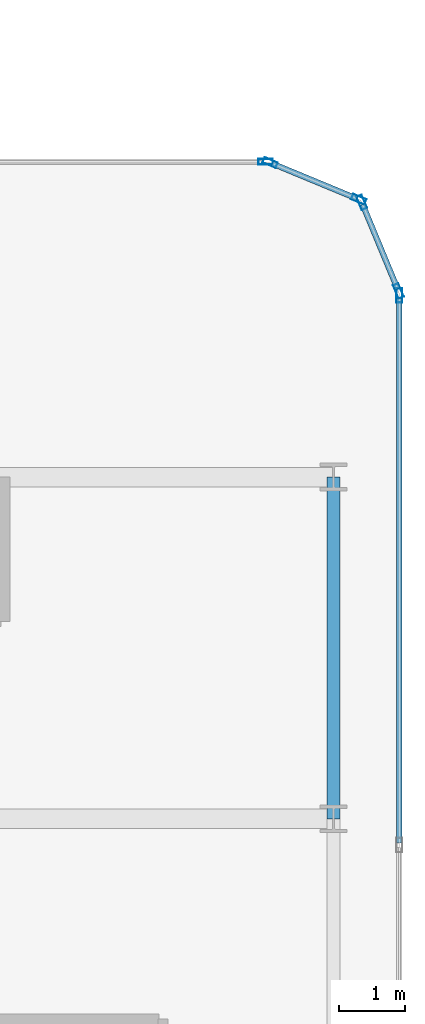
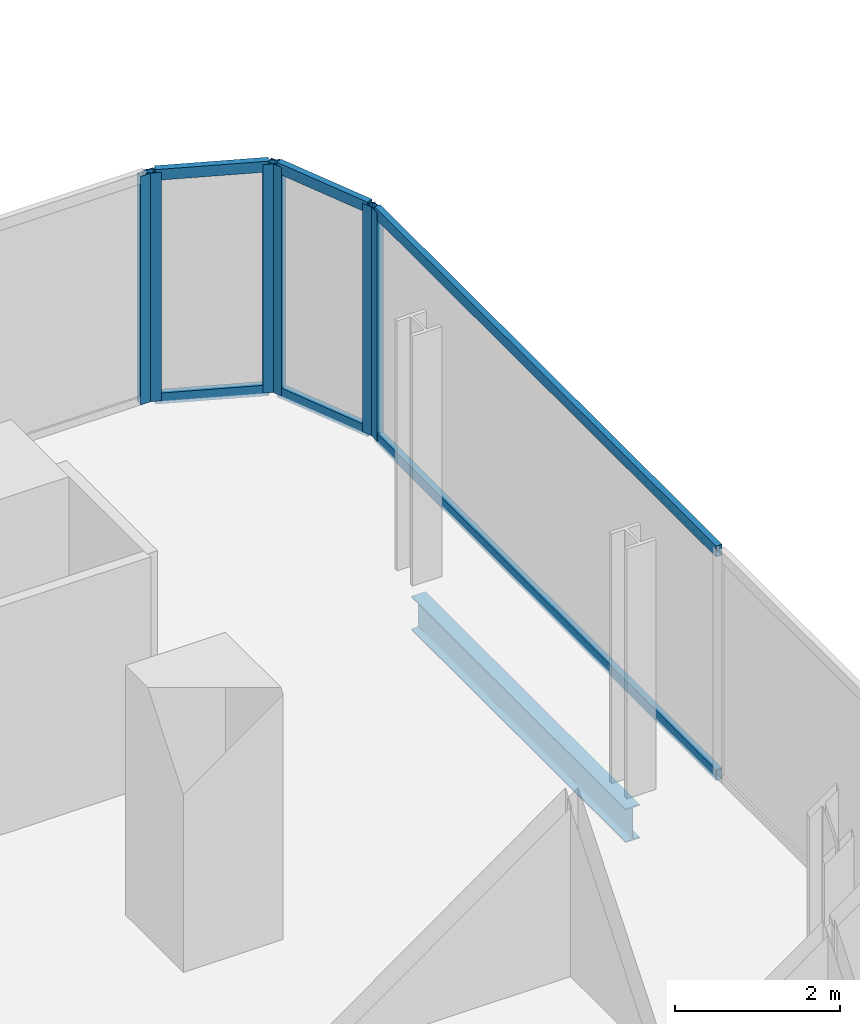
# One storey, part 19 of 33: 12 members, 1 beam, 4 elements without a shape of their own.
"""IFC4 building model written with IfcOpenShell, lengths in metres."""

import ifcopenshell
import ifcopenshell.guid

model = None  # the IFC model being written
_history = None  # IfcOwnerHistory: only IFC2X3 demands one
_inside = {}  # id of a spatial element -> (the spatial element, [elements in it])
_under = {}  # id of a project, library or spatial element -> (it, [spatial elements below it])
_declared = {}  # id of a project -> (the project, [libraries it declares])
_typed = {}  # id of a type object -> (the type object, [elements of that type])
_made_of = {}  # id of a material, layer set ... -> (it, [elements and type objects made of it])


def new_model(schema):
    """Start an empty IFC model of exactly this schema.

    Asked for "IFC4X3", IfcOpenShell would pick the latest addendum, in which some entities
    have other attributes; the version numbers below select the first issue.
    IFC2X3 requires an IfcOwnerHistory on every rooted entity: one is made here for all.
    """
    global model, _history
    if schema == "IFC4X3":
        model = ifcopenshell.file(schema_version=(4, 3, 0, 0))
    else:
        model = ifcopenshell.file(schema=schema)
    _inside.clear()
    _under.clear()
    _declared.clear()
    _typed.clear()
    _made_of.clear()
    _history = None
    if model.schema == "IFC2X3":
        org = make("IfcOrganization", Name="unknown")
        user = make(
            "IfcPersonAndOrganization",
            ThePerson=make("IfcPerson", FamilyName="unknown"),
            TheOrganization=org,
        )
        app = make(
            "IfcApplication",
            ApplicationDeveloper=org,
            Version="unknown",
            ApplicationFullName="unknown",
            ApplicationIdentifier="unknown",
        )
        _history = make(
            "IfcOwnerHistory",
            OwningUser=user,
            OwningApplication=app,
            ChangeAction="ADDED",
            CreationDate=0,
        )
    return model


def make(cls, **values):
    """One entity of the class cls with the attributes given. An attribute that is None is left unset."""
    return model.create_entity(
        cls, **{name: value for name, value in values.items() if value is not None}
    )


def rooted(cls, **values):
    """An entity with a GlobalId (a new one), such as an element, a storey or a relation."""
    return make(cls, GlobalId=ifcopenshell.guid.new(), OwnerHistory=_history, **values)


def si_unit(unit_type, name, prefix=None):
    """IfcSIUnit, for example si_unit("LENGTHUNIT", "METRE", prefix="MILLI")."""
    return make("IfcSIUnit", UnitType=unit_type, Prefix=prefix, Name=name)


def assignment(units):
    """IfcUnitAssignment: the units of a project."""
    return None if units is None else make("IfcUnitAssignment", Units=units)


def point(xyz):
    """IfcCartesianPoint."""
    return None if xyz is None else make("IfcCartesianPoint", Coordinates=xyz)


def direction(xyz):
    """IfcDirection."""
    return None if xyz is None else make("IfcDirection", DirectionRatios=xyz)


def frame(location, z_axis=None, x_axis=None):
    """IfcAxis2Placement3D, a coordinate frame: its origin and axes. An axis left out is left unset."""
    return make(
        "IfcAxis2Placement3D",
        Location=point(location),
        Axis=direction(z_axis),
        RefDirection=direction(x_axis),
    )


def frame_2d(location, x_axis=None):
    """IfcAxis2Placement2D, a coordinate frame in the plane: its origin and x axis."""
    return make(
        "IfcAxis2Placement2D", Location=point(location), RefDirection=direction(x_axis)
    )


def origin():
    """The frame at (0, 0, 0) with its axes left unset."""
    return frame((0.0, 0.0, 0.0))


def origin_2d():
    """The frame at (0, 0) in the plane with its x axis left unset."""
    return frame_2d((0.0, 0.0))


def place(relative_to, where):
    """IfcLocalPlacement: puts the frame where relative to a parent placement (None: the world)."""
    return make(
        "IfcLocalPlacement", PlacementRelTo=relative_to, RelativePlacement=where
    )


def context(
    kind, dimensions, precision=None, world=None, true_north=None, identifier=None
):
    """IfcGeometricRepresentationContext, for example the 3D "Model" context."""
    return make(
        "IfcGeometricRepresentationContext",
        ContextIdentifier=identifier,
        ContextType=kind,
        CoordinateSpaceDimension=dimensions,
        Precision=precision,
        WorldCoordinateSystem=world,
        TrueNorth=true_north,
    )


def subcontext(parent, identifier, kind, view, scale=None):
    """IfcGeometricRepresentationSubContext, for example "Body" below "Model"."""
    return make(
        "IfcGeometricRepresentationSubContext",
        ContextIdentifier=identifier,
        ContextType=kind,
        ParentContext=parent,
        TargetScale=scale,
        TargetView=view,
    )


def project(units=None, contexts=None):
    """IfcProject with its units and contexts."""
    return rooted(
        "IfcProject",
        Name="project",
        RepresentationContexts=contexts,
        UnitsInContext=assignment(units),
    )


def spatial(cls, under=None, at=None, **own):
    """A site, building, storey or space (cls), placed at a placement, below another one or the project."""
    s = rooted(cls, ObjectPlacement=at, **own)
    if under is not None:
        _under.setdefault(under.id(), (under, []))[1].append(s)
    return s


def profile(cls, at=None, kind="AREA", **sizes):
    """A parametric profile (cls). Its sizes go by their IFC names, for example OverallWidth=200.0."""
    return make(cls, ProfileType=kind, Position=at, **sizes)


def hollow_rectangle(**sizes):
    """IfcRectangleHollowProfileDef."""
    return profile("IfcRectangleHollowProfileDef", **sizes)


def i_section(**sizes):
    """IfcIShapeProfileDef."""
    return profile("IfcIShapeProfileDef", **sizes)


def extrude(swept, where, along, depth):
    """IfcExtrudedAreaSolid: the profile swept, set in the frame where, extruded along a direction by depth."""
    return make(
        "IfcExtrudedAreaSolid",
        SweptArea=swept,
        Position=where,
        ExtrudedDirection=direction(along),
        Depth=depth,
    )


def shape(context_of_items, identifier, shape_type, items):
    """IfcShapeRepresentation: the items that make up one representation, for example the "Body"."""
    return make(
        "IfcShapeRepresentation",
        ContextOfItems=context_of_items,
        RepresentationIdentifier=identifier,
        RepresentationType=shape_type,
        Items=items,
    )


def material(Name=None, Category=None):
    """IfcMaterial."""
    return make("IfcMaterial", Name=Name, Category=Category)


def layer(
    of_material, thickness, ventilated=None, Name=None, Category=None, Priority=None
):
    """IfcMaterialLayer: one layer of a wall or slab, of a material (None: an air gap)."""
    return make(
        "IfcMaterialLayer",
        Material=of_material,
        LayerThickness=thickness,
        IsVentilated=ventilated,
        Name=Name,
        Category=Category,
        Priority=Priority,
    )


def layer_set(layers, Name=None):
    """IfcMaterialLayerSet."""
    return make("IfcMaterialLayerSet", MaterialLayers=layers, LayerSetName=Name)


def material_profile(
    of_material, cross_section, Name=None, Category=None, Priority=None
):
    """IfcMaterialProfile: a cross section and its material."""
    return make(
        "IfcMaterialProfile",
        Name=Name,
        Material=of_material,
        Profile=cross_section,
        Priority=Priority,
        Category=Category,
    )


def profile_set(profiles, Name=None, composite=None):
    """IfcMaterialProfileSet."""
    return make(
        "IfcMaterialProfileSet",
        Name=Name,
        MaterialProfiles=profiles,
        CompositeProfile=composite,
    )


def made_of(thing, what):
    """Note that an element or type object is made of a material, layer set ...; save() writes the relation."""
    if what is not None:
        _made_of.setdefault(what.id(), (what, []))[1].append(thing)
    return thing


def type_object(cls, material=None, **own):
    """A type object (cls), such as IfcWallType, which elements share."""
    return made_of(rooted(cls, **own), material)


def element(
    cls,
    number,
    at=None,
    inside=None,
    cuts=None,
    type_object=None,
    material=None,
    context=None,
    identifier="Body",
    shape_type=None,
    held_by="IfcProductDefinitionShape",
    body=None,
    shapes=None,
    **own,
):
    """One element of the class cls, such as IfcWall. Its Tag is "e" and its number.

    at: its placement. inside: the storey or other place that contains it. cuts: it is an
    opening in that element (IfcRelVoidsElement). A single representation is given by context,
    identifier, shape_type and body (its items); several are given by shapes. held_by: the class
    of the entity that holds the representations. save() writes the other relations.
    """
    e = rooted(cls, Tag="e%d" % number, ObjectPlacement=at, **own)
    if body is not None:
        shapes = [shape(context, identifier, shape_type, body)]
    if shapes is not None:
        e.Representation = make(held_by, Representations=shapes)
    if inside is not None:
        _inside.setdefault(inside.id(), (inside, []))[1].append(e)
    if cuts is not None:
        rooted(
            "IfcRelVoidsElement", RelatingBuildingElement=cuts, RelatedOpeningElement=e
        )
    if type_object is not None:
        _typed.setdefault(type_object.id(), (type_object, []))[1].append(e)
    return made_of(e, material)


def aggregate(whole, parts):
    """IfcRelAggregates: a whole, such as a stair, and the parts it consists of."""
    return rooted("IfcRelAggregates", RelatingObject=whole, RelatedObjects=parts)


def save(model, path):
    """Write the relations noted so far, then the file.

    IfcRelAggregates (storeys below a building ...), IfcRelContainedInSpatialStructure (elements
    in a storey), IfcRelDefinesByType, IfcRelAssociatesMaterial and IfcRelDeclares: one each for
    every whole, place, type object, material and project.
    """
    for whole, parts in _under.values():
        aggregate(whole, parts)
    for where, things in _inside.values():
        rooted(
            "IfcRelContainedInSpatialStructure",
            RelatedElements=things,
            RelatingStructure=where,
        )
    for kind, things in _typed.values():
        rooted("IfcRelDefinesByType", RelatedObjects=things, RelatingType=kind)
    for what, things in _made_of.values():
        rooted("IfcRelAssociatesMaterial", RelatedObjects=things, RelatingMaterial=what)
    for by, libraries in _declared.values():
        rooted("IfcRelDeclares", RelatingContext=by, RelatedDefinitions=libraries)
    model.write(path)


model = new_model("IFC4")

# Units and contexts
model_context = context("Model", 3, precision=1e-05, world=origin(), true_north=direction((0.0, 1.0)))
body_context = subcontext(model_context, "Body", "Model", "MODEL_VIEW")
ifc_project = project(units=[si_unit("LENGTHUNIT", "METRE"), si_unit("AREAUNIT", "SQUARE_METRE"), si_unit("VOLUMEUNIT", "CUBIC_METRE"), si_unit("PLANEANGLEUNIT", "RADIAN"), si_unit("MASSUNIT", "GRAM", prefix="KILO")], contexts=[model_context])

# Site, building, storey
site_placement = place(None, origin())
site = spatial("IfcSite", under=ifc_project, at=site_placement, CompositionType="ELEMENT")
building_placement = place(site_placement, origin())
building = spatial("IfcBuilding", under=site, at=building_placement, Name="Keshet Zoharim Tower", CompositionType="ELEMENT")
storey_placement = place(building_placement, frame((0.0, 0.0, 35.10009765625)))
storey = spatial("IfcBuildingStorey", under=building, at=storey_placement, Name="L07", CompositionType="ELEMENT", Elevation=35.10009765625)

# Beam
ifc_material_1 = material(Name="Steel S355", Category="steel")
ifc_material_profile_1 = material_profile(ifc_material_1, i_section(OverallWidth=0.199951171875, OverallDepth=0.5, WebThickness=0.01025390625, FlangeThickness=0.01611328125, FilletRadius=0.02099609375, at=origin_2d()), Name="IPE500")
ifc_profile_set_1 = profile_set([ifc_material_profile_1], Name="Steel S355")
beam_type = type_object("IfcBeamType", Name="BM-PRI-IP500", PredefinedType="BEAM", material=ifc_profile_set_1)
beam_placement = place(storey_placement, frame((69.0, 22.699951171875, -0.565185546875), z_axis=(0.0, 1.0, 0.0), x_axis=(-1.0, 0.0, 0.0)))
element("IfcBeam", 1, at=beam_placement, inside=storey, type_object=beam_type, Name="L07 Primary Girder Y-025", PredefinedType="BEAM", context=body_context, shape_type="SweptSolid", body=[
    extrude(i_section(OverallWidth=0.199951171875, OverallDepth=0.5, WebThickness=0.01025390625, FlangeThickness=0.01611328125, FilletRadius=0.02099609375, at=origin_2d()), origin(), (0.0, 0.0, 1.0), 5.199951171875),
])

# Curtain wall, member
ifc_material_2 = material(Name="Aluminium 6063-T6", Category="aluminium")
ifc_layer = layer(ifc_material_2, 0.169921875)
ifc_layer_set = layer_set([ifc_layer], Name="Aluminium 6063-T6")
curtain_wall_type = type_object("IfcCurtainWallType", Name="CW-SYS-02", PredefinedType="NOTDEFINED", material=ifc_layer_set)
curtain_wall_1_placement = place(storey_placement, origin())
curtain_wall_1 = element("IfcCurtainWall", 2, at=curtain_wall_1_placement, inside=storey, type_object=curtain_wall_type, Name="L07 Unitised Curtain Wall 13", PredefinedType="NOTDEFINED")
ifc_material_profile_2 = material_profile(ifc_material_2, hollow_rectangle(XDim=0.090087890625, YDim=0.219970703125, WallThickness=0.0048828125, at=origin_2d()), Name="MUL-90x220")
ifc_profile_set_2 = profile_set([ifc_material_profile_2], Name="Aluminium 6063-T6")
member_type_1 = type_object("IfcMemberType", Name="CWM-M22", PredefinedType="MULLION", material=ifc_profile_set_2)
member_1_placement = place(storey_placement, frame((67.965087890625, 32.699951171875, 0.0), z_axis=(0.0, 0.0, 1.0), x_axis=(0.0, 1.0, 0.0)))
member_1 = element("IfcMember", 3, at=member_1_placement, type_object=member_type_1, Name="CW-02 mullion 2", PredefinedType="MULLION", context=body_context, shape_type="SweptSolid", body=[
    extrude(hollow_rectangle(XDim=0.090087890625, YDim=0.219970703125, WallThickness=0.0048828125, at=origin_2d()), origin(), (0.0, 0.0, 1.0), 3.385009765625),
])
aggregate(curtain_wall_1, [member_1])

# Curtain wall, members
curtain_wall_2_placement = place(storey_placement, origin())
curtain_wall_2 = element("IfcCurtainWall", 4, at=curtain_wall_2_placement, inside=storey, type_object=curtain_wall_type, Name="L07 Unitised Curtain Wall 14", PredefinedType="NOTDEFINED")
member_2_placement = place(storey_placement, frame((68.0322265625, 32.6865234375, 0.0), z_axis=(0.0, 0.0, 1.0), x_axis=(0.382851849847, 0.92380975372, 0.0)))
member_2 = element("IfcMember", 5, at=member_2_placement, type_object=member_type_1, Name="CW-02 mullion 1", PredefinedType="MULLION", context=body_context, shape_type="SweptSolid", body=[
    extrude(hollow_rectangle(XDim=0.090087890625, YDim=0.219970703125, WallThickness=0.0048828125, at=origin_2d()), origin(), (0.0, 0.0, 1.0), 3.385009765625),
])
member_3_placement = place(storey_placement, frame((69.381591796875, 32.12744140625, 0.0), z_axis=(0.0, 0.0, 1.0), x_axis=(0.382851849847, 0.92380975372, 0.0)))
member_3 = element("IfcMember", 6, at=member_3_placement, type_object=member_type_1, Name="CW-02 mullion 2", PredefinedType="MULLION", context=body_context, shape_type="SweptSolid", body=[
    extrude(hollow_rectangle(XDim=0.090087890625, YDim=0.219970703125, WallThickness=0.0048828125, at=origin_2d()), origin(), (0.0, 0.0, 1.0), 3.385009765625),
])

curtain_wall_3_placement = place(storey_placement, origin())
curtain_wall_3 = element("IfcCurtainWall", 7, at=curtain_wall_3_placement, inside=storey, type_object=curtain_wall_type, Name="L07 Unitised Curtain Wall 15", PredefinedType="NOTDEFINED")
member_4_placement = place(storey_placement, frame((69.427490234375, 32.081787109375, 0.0), z_axis=(0.0, 0.0, 1.0), x_axis=(0.92380975372, 0.382851849847, 0.0)))
member_4 = element("IfcMember", 8, at=member_4_placement, type_object=member_type_1, Name="CW-02 mullion 1", PredefinedType="MULLION", context=body_context, shape_type="SweptSolid", body=[
    extrude(hollow_rectangle(XDim=0.090087890625, YDim=0.219970703125, WallThickness=0.0048828125, at=origin_2d()), origin(), (0.0, 0.0, 1.0), 3.385009765625),
])
member_5_placement = place(storey_placement, frame((69.986572265625, 30.732421875, 0.0), z_axis=(0.0, 0.0, 1.0), x_axis=(0.92380975372, 0.382851849847, 0.0)))
member_5 = element("IfcMember", 9, at=member_5_placement, type_object=member_type_1, Name="CW-02 mullion 2", PredefinedType="MULLION", context=body_context, shape_type="SweptSolid", body=[
    extrude(hollow_rectangle(XDim=0.090087890625, YDim=0.219970703125, WallThickness=0.0048828125, at=origin_2d()), origin(), (0.0, 0.0, 1.0), 3.385009765625),
])

# Curtain wall, member
curtain_wall_4_placement = place(storey_placement, origin())
curtain_wall_4 = element("IfcCurtainWall", 10, at=curtain_wall_4_placement, inside=storey, type_object=curtain_wall_type, Name="L07 Unitised Curtain Wall 16", PredefinedType="NOTDEFINED")
member_6_placement = place(storey_placement, frame((70.0, 30.6650390625, 0.0), z_axis=(0.0, 0.0, 1.0), x_axis=(1.0, 0.0, 0.0)))
member_6 = element("IfcMember", 11, at=member_6_placement, type_object=member_type_1, Name="CW-02 mullion 1", PredefinedType="MULLION", context=body_context, shape_type="SweptSolid", body=[
    extrude(hollow_rectangle(XDim=0.090087890625, YDim=0.219970703125, WallThickness=0.0048828125, at=origin_2d()), origin(), (0.0, 0.0, 1.0), 3.385009765625),
])

# Member
ifc_material_profile_3 = material_profile(ifc_material_2, hollow_rectangle(XDim=0.0849609375, YDim=0.159912109375, WallThickness=0.00439453125, at=origin_2d()), Name="TRN-85x160")
ifc_profile_set_3 = profile_set([ifc_material_profile_3], Name="Aluminium 6063-T6")
member_type_2 = type_object("IfcMemberType", Name="CWT-T16", PredefinedType="USERDEFINED", material=ifc_profile_set_3)
member_7_placement = place(storey_placement, frame((68.064697265625, 32.673095703125, 0.034912109375), z_axis=(0.923854189844, -0.382744609247, 0.0), x_axis=(0.382744609247, 0.923854189844, 0.0)))
member_7 = element("IfcMember", 12, at=member_7_placement, type_object=member_type_2, Name="CW-02 transom 1.1", ObjectType="TRANSOM", PredefinedType="USERDEFINED", context=body_context, shape_type="SweptSolid", body=[
    extrude(hollow_rectangle(XDim=0.0849609375, YDim=0.159912109375, WallThickness=0.00439453125, at=origin_2d()), origin(), (0.0, 0.0, 1.0), 1.390625),
])

member_8_placement = place(storey_placement, frame((68.064697265625, 32.673095703125, 3.349853515625), z_axis=(0.923854189844, -0.382744609247, 0.0), x_axis=(0.382744609247, 0.923854189844, 0.0)))
member_8 = element("IfcMember", 13, at=member_8_placement, type_object=member_type_2, Name="CW-02 transom 1.2", ObjectType="TRANSOM", PredefinedType="USERDEFINED", context=body_context, shape_type="SweptSolid", body=[
    extrude(hollow_rectangle(XDim=0.0849609375, YDim=0.159912109375, WallThickness=0.00439453125, at=origin_2d()), origin(), (0.0, 0.0, 1.0), 1.390625),
])

aggregate(curtain_wall_2, [member_2, member_3, member_7, member_8])

member_9_placement = place(storey_placement, frame((69.44091796875, 32.04931640625, 0.034912109375), z_axis=(0.382744609247, -0.923854189844, 0.0), x_axis=(0.923854189844, 0.382744609247, 0.0)))
member_9 = element("IfcMember", 14, at=member_9_placement, type_object=member_type_2, Name="CW-02 transom 1.1", ObjectType="TRANSOM", PredefinedType="USERDEFINED", context=body_context, shape_type="SweptSolid", body=[
    extrude(hollow_rectangle(XDim=0.0849609375, YDim=0.159912109375, WallThickness=0.00439453125, at=origin_2d()), origin(), (0.0, 0.0, 1.0), 1.390625),
])

member_10_placement = place(storey_placement, frame((69.44091796875, 32.04931640625, 3.349853515625), z_axis=(0.382744609247, -0.923854189844, 0.0), x_axis=(0.923854189844, 0.382744609247, 0.0)))
member_10 = element("IfcMember", 15, at=member_10_placement, type_object=member_type_2, Name="CW-02 transom 1.2", ObjectType="TRANSOM", PredefinedType="USERDEFINED", context=body_context, shape_type="SweptSolid", body=[
    extrude(hollow_rectangle(XDim=0.0849609375, YDim=0.159912109375, WallThickness=0.00439453125, at=origin_2d()), origin(), (0.0, 0.0, 1.0), 1.390625),
])

aggregate(curtain_wall_3, [member_4, member_5, member_9, member_10])

member_11_placement = place(storey_placement, frame((70.0, 30.6298828125, 0.034912109375), z_axis=(0.0, -1.0, 0.0), x_axis=(1.0, 0.0, 0.0)))
member_11 = element("IfcMember", 16, at=member_11_placement, type_object=member_type_2, Name="CW-02 transom 1.1", ObjectType="TRANSOM", PredefinedType="USERDEFINED", context=body_context, shape_type="SweptSolid", body=[
    extrude(hollow_rectangle(XDim=0.0849609375, YDim=0.159912109375, WallThickness=0.00439453125, at=origin_2d()), origin(), (0.0, 0.0, 1.0), 8.29638671875),
])

member_12_placement = place(storey_placement, frame((70.0, 30.6298828125, 3.349853515625), z_axis=(0.0, -1.0, 0.0), x_axis=(1.0, 0.0, 0.0)))
member_12 = element("IfcMember", 17, at=member_12_placement, type_object=member_type_2, Name="CW-02 transom 1.2", ObjectType="TRANSOM", PredefinedType="USERDEFINED", context=body_context, shape_type="SweptSolid", body=[
    extrude(hollow_rectangle(XDim=0.0849609375, YDim=0.159912109375, WallThickness=0.00439453125, at=origin_2d()), origin(), (0.0, 0.0, 1.0), 8.29638671875),
])

aggregate(curtain_wall_4, [member_6, member_11, member_12])

save(model, "model.ifc")
